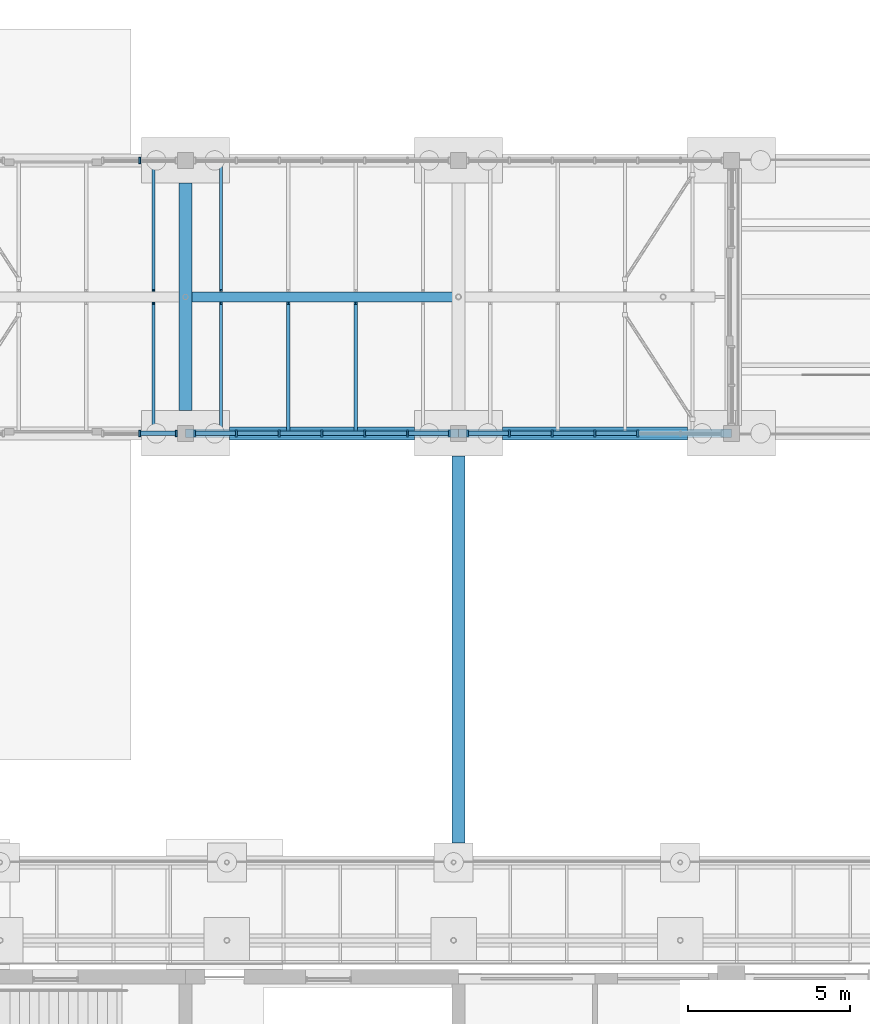
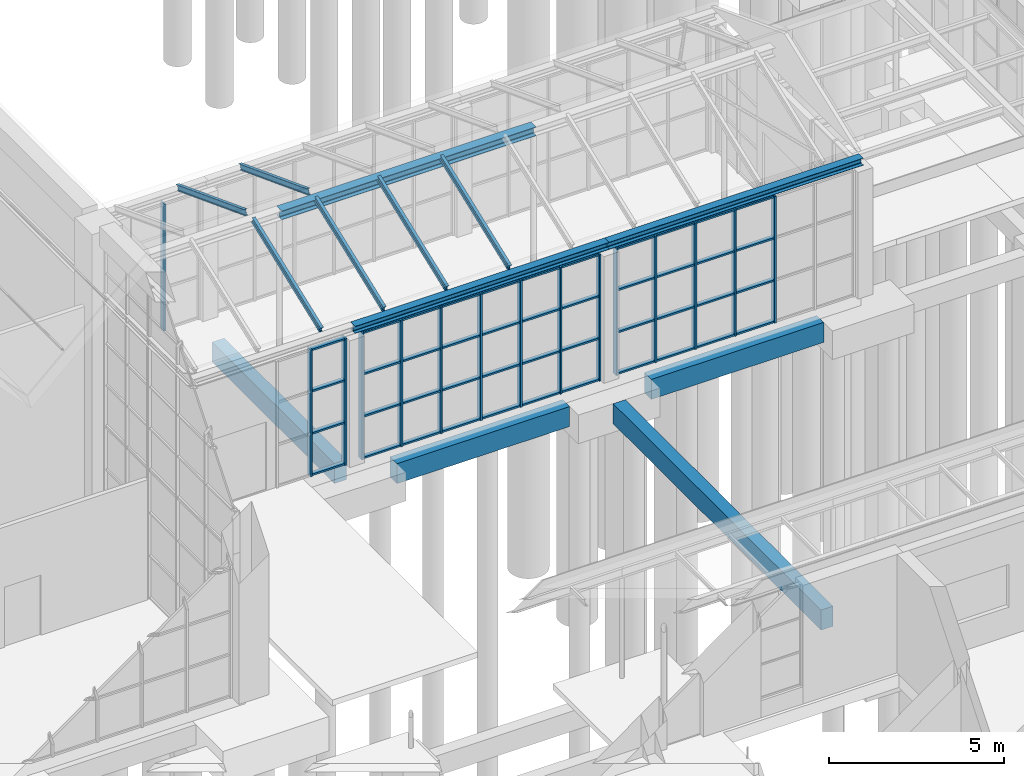
# One storey, part 65 of 138: 59 members, 13 beams, 4 elements without a shape of their own.
"""IFC4 building model written with IfcOpenShell, lengths in metres."""

from ifc_helpers import new_model, si_unit, direction, frame, origin, origin_2d, place, context, subcontext, project, spatial, rectangle, i_section, extrude, material, material_profile, profile_set, type_object, element, aggregate, save


model = new_model("IFC4")

# Units and contexts
model_context = context("Model", 3, precision=1e-05, world=origin(), true_north=direction((0.0, 1.0)))
body_context = subcontext(model_context, "Body", "Model", "MODEL_VIEW")
ifc_project = project(units=[si_unit("LENGTHUNIT", "METRE"), si_unit("AREAUNIT", "SQUARE_METRE"), si_unit("VOLUMEUNIT", "CUBIC_METRE"), si_unit("PLANEANGLEUNIT", "RADIAN"), si_unit("MASSUNIT", "GRAM", prefix="KILO")], contexts=[model_context])

# Site, building, storey
site_placement = place(None, origin())
site = spatial("IfcSite", under=ifc_project, at=site_placement, CompositionType="ELEMENT")
building_placement = place(site_placement, origin())
building = spatial("IfcBuilding", under=site, at=building_placement, Name="Yavir Park General Hospital", CompositionType="ELEMENT")
storey_placement = place(building_placement, origin())
storey = spatial("IfcBuildingStorey", under=building, at=storey_placement, Name="L00", CompositionType="ELEMENT", Elevation=0.0)

# Beams
ifc_material_1 = material(Name="Steel S355", Category="steel")
ifc_material_profile_1 = material_profile(ifc_material_1, i_section(OverallWidth=0.260009765625, OverallDepth=0.25, WebThickness=0.007568359375, FlangeThickness=0.012451171875, FilletRadius=0.02392578125, at=origin_2d()), Name="HEA260")
ifc_profile_set_1 = profile_set([ifc_material_profile_1], Name="Steel S355")
beam_type_1 = type_object("IfcBeamType", Name="HEA 260 eave beam", PredefinedType="BEAM", material=ifc_profile_set_1)
for number, where, z_axis, x_axis, name in (
    (1, (117.60009765625, 50.39990234375, 4.64697265625), (1.0, 0.0, 0.0), (0.0, 1.0, 0.0), "RF:CONC:frame:E:1"),
    (2, (126.0, 50.39990234375, 4.64697265625), (1.0, 0.0, 0.0), (0.0, 1.0, 0.0), "RF:CONC:frame:E:2"),
):
    element("IfcBeam", number, at=place(storey_placement, frame(where, z_axis=z_axis, x_axis=x_axis)), inside=storey, type_object=beam_type_1, Name=name, PredefinedType="BEAM", context=body_context, shape_type="SweptSolid", body=[
        extrude(i_section(OverallWidth=0.260009765625, OverallDepth=0.25, WebThickness=0.007568359375, FlangeThickness=0.012451171875, FilletRadius=0.02392578125, at=origin_2d()), origin(), (0.0, 0.0, 1.0), 8.39990234375),
    ])
ifc_material_2 = material(Name="Steel S355", Category="steel")
ifc_material_profile_2 = material_profile(ifc_material_2, i_section(OverallWidth=0.300048828125, OverallDepth=0.31005859375, WebThickness=0.009033203125, FlangeThickness=0.015380859375, FilletRadius=0.027099609375, at=origin_2d()), Name="HEA320")
ifc_profile_set_2 = profile_set([ifc_material_profile_2], Name="Steel S355")
beam_type_2 = type_object("IfcBeamType", Name="HEA 320 ridge beam", PredefinedType="BEAM", material=ifc_profile_set_2)
beam_1_placement = place(storey_placement, frame((117.60009765625, 54.60009765625, 6.113037109375), z_axis=(1.0, 0.0, 0.0), x_axis=(0.0, 1.0, 0.0)))
element("IfcBeam", 3, at=beam_1_placement, inside=storey, type_object=beam_type_2, Name="RF:CONC:frame:G:1", PredefinedType="BEAM", context=body_context, shape_type="SweptSolid", body=[
    extrude(i_section(OverallWidth=0.300048828125, OverallDepth=0.31005859375, WebThickness=0.009033203125, FlangeThickness=0.015380859375, FilletRadius=0.027099609375, at=origin_2d()), origin(), (0.0, 0.0, 1.0), 8.39990234375),
])
ifc_material_3 = material(Name="Steel S355", Category="steel")
ifc_material_profile_3 = material_profile(ifc_material_3, i_section(OverallWidth=0.10009765625, OverallDepth=0.199951171875, WebThickness=0.005615234375, FlangeThickness=0.008544921875, FilletRadius=0.011962890625, at=origin_2d()), Name="IPE200")
ifc_profile_set_3 = profile_set([ifc_material_profile_3], Name="Steel S355")
beam_type_3 = type_object("IfcBeamType", Name="IPE 200 rafter", PredefinedType="JOIST", material=ifc_profile_set_3)
for number, where, z_axis, x_axis, name in (
    (4, (116.6181640625, 50.489013671875, 4.866455078125), (0.0, 0.934494196525, 0.35597836544), (-1.0, 0.0, 0.0), "RF:CONC:frame:R:6"),
    (5, (116.6181640625, 54.795654296875, 6.35791015625), (0.0, 0.934494196525, -0.35597836544), (-1.0, 0.0, 0.0), "RF:CONC:frame:R:7"),
    (6, (118.69091796875, 50.489013671875, 4.866455078125), (0.0, 0.934494196525, 0.35597836544), (-1.0, 0.0, 0.0), "RF:CONC:frame:R:8"),
    (7, (118.69091796875, 54.795654296875, 6.35791015625), (0.0, 0.934494196525, -0.35597836544), (-1.0, 0.0, 0.0), "RF:CONC:frame:R:9"),
    (8, (120.763671875, 50.489013671875, 4.866455078125), (0.0, 0.934494196525, 0.35597836544), (-1.0, 0.0, 0.0), "RF:CONC:frame:R:10"),
    (9, (122.83642578125, 50.489013671875, 4.866455078125), (0.0, 0.934494196525, 0.35597836544), (-1.0, 0.0, 0.0), "RF:CONC:frame:R:12"),
):
    element("IfcBeam", number, at=place(storey_placement, frame(where, z_axis=z_axis, x_axis=x_axis)), inside=storey, type_object=beam_type_3, Name=name, PredefinedType="JOIST", context=body_context, shape_type="SweptSolid", body=[
        extrude(i_section(OverallWidth=0.10009765625, OverallDepth=0.199951171875, WebThickness=0.005615234375, FlangeThickness=0.008544921875, FilletRadius=0.011962890625, at=origin_2d()), origin(), (0.0, 0.0, 1.0), 4.189697265625),
    ])
ifc_material_4 = material(Name="Concrete C35/45", Category="concrete")
ifc_material_profile_4 = material_profile(ifc_material_4, rectangle(XDim=0.39990234375, YDim=0.699951171875, at=origin_2d()), Name="RC400x700")
ifc_profile_set_4 = profile_set([ifc_material_profile_4], Name="Concrete C35/45")
beam_type_4 = type_object("IfcBeamType", Name="RC BEAM 400x700 ground beam", PredefinedType="BEAM", material=ifc_profile_set_4)
for number, where, z_axis, x_axis, name in (
    (10, (118.949951171875, 50.39990234375, -0.800048828125), (1.0, 0.0, 0.0), (0.0, 1.0, 0.0), "B:GND:L00:15G:L00:16G"),
    (11, (127.35009765625, 50.39990234375, -0.800048828125), (1.0, 0.0, 0.0), (0.0, 1.0, 0.0), "B:GND:L00:16G:L00:17G"),
):
    element("IfcBeam", number, at=place(storey_placement, frame(where, z_axis=z_axis, x_axis=x_axis)), inside=storey, type_object=beam_type_4, Name=name, PredefinedType="BEAM", context=body_context, shape_type="SweptSolid", body=[
        extrude(rectangle(XDim=0.39990234375, YDim=0.699951171875, at=origin_2d()), origin(), (0.0, 0.0, 1.0), 5.699951171875),
    ])
beam_2_placement = place(storey_placement, frame((126.0, 37.800048828125, -0.800048828125), z_axis=(0.0, 1.0, 0.0), x_axis=(-1.0, 0.0, 0.0)))
element("IfcBeam", 12, at=beam_2_placement, inside=storey, type_object=beam_type_4, Name="B:GND:ARC2:C12:L00:16G", PredefinedType="BEAM", context=body_context, shape_type="SweptSolid", body=[
    extrude(rectangle(XDim=0.39990234375, YDim=0.699951171875, at=origin_2d()), origin(), (0.0, 0.0, 1.0), 11.89990234375),
])
beam_3_placement = place(storey_placement, frame((117.60009765625, 51.10009765625, -0.800048828125), z_axis=(0.0, 1.0, 0.0), x_axis=(-1.0, 0.0, 0.0)))
element("IfcBeam", 13, at=beam_3_placement, inside=storey, type_object=beam_type_4, Name="B:GND:L00:15G:L00:15H", PredefinedType="BEAM", context=body_context, shape_type="SweptSolid", body=[
    extrude(rectangle(XDim=0.39990234375, YDim=0.699951171875, at=origin_2d()), origin(), (0.0, 0.0, 1.0), 7.0),
])

# Curtain wall, members
ifc_material_5 = material(Name="Aluminium curtain wall frame with insulated glazing", Category="aluminium")
curtain_wall_type = type_object("IfcCurtainWallType", Name="Winter-garden concourse glazing, 4425 high, 1400 module", PredefinedType="NOTDEFINED", material=ifc_material_5)
curtain_wall_1_placement = place(storey_placement, origin())
curtain_wall_1 = element("IfcCurtainWall", 14, at=curtain_wall_1_placement, inside=storey, type_object=curtain_wall_type, Name="CW37 L00-014", PredefinedType="NOTDEFINED")
ifc_material_6 = material(Name="Aluminium", Category="aluminium")
ifc_material_profile_5 = material_profile(ifc_material_6, rectangle(XDim=0.199951171875, YDim=0.06005859375, at=origin_2d()), Name="AL 60x200")
ifc_profile_set_5 = profile_set([ifc_material_profile_5], Name="Aluminium")
member_type_1 = type_object("IfcMemberType", Name="Winter-garden concourse glazing, 4425 high mullion 60 x 200", PredefinedType="MULLION", material=ifc_profile_set_5)
member_1_placement = place(storey_placement, frame((116.1875, 50.39990234375, 0.0), z_axis=(0.0, 0.0, 1.0), x_axis=(0.0, 1.0, 0.0)))
member_1 = element("IfcMember", 15, at=member_1_placement, type_object=member_type_1, Name="CW37 mullion 2", PredefinedType="MULLION", context=body_context, shape_type="SweptSolid", body=[
    extrude(rectangle(XDim=0.199951171875, YDim=0.06005859375, at=origin_2d()), origin(), (0.0, 0.0, 1.0), 4.425048828125),
])
member_2_placement = place(storey_placement, frame((117.320068359375, 50.39990234375, 0.0), z_axis=(0.0, 0.0, 1.0), x_axis=(0.0, 1.0, 0.0)))
member_2 = element("IfcMember", 16, at=member_2_placement, type_object=member_type_1, Name="CW37 mullion 3", PredefinedType="MULLION", context=body_context, shape_type="SweptSolid", body=[
    extrude(rectangle(XDim=0.199951171875, YDim=0.06005859375, at=origin_2d()), origin(), (0.0, 0.0, 1.0), 4.425048828125),
])

curtain_wall_2_placement = place(storey_placement, origin())
curtain_wall_2 = element("IfcCurtainWall", 17, at=curtain_wall_2_placement, inside=storey, type_object=curtain_wall_type, Name="CW37 L00-015", PredefinedType="NOTDEFINED")
member_3_placement = place(storey_placement, frame((117.8798828125, 50.39990234375, 0.0), z_axis=(0.0, 0.0, 1.0), x_axis=(0.0, 1.0, 0.0)))
member_3 = element("IfcMember", 18, at=member_3_placement, type_object=member_type_1, Name="CW37 mullion 1", PredefinedType="MULLION", context=body_context, shape_type="SweptSolid", body=[
    extrude(rectangle(XDim=0.199951171875, YDim=0.06005859375, at=origin_2d()), origin(), (0.0, 0.0, 1.0), 4.425048828125),
])
member_4_placement = place(storey_placement, frame((119.166748046875, 50.39990234375, 0.0), z_axis=(0.0, 0.0, 1.0), x_axis=(0.0, 1.0, 0.0)))
member_4 = element("IfcMember", 19, at=member_4_placement, type_object=member_type_1, Name="CW37 mullion 2", PredefinedType="MULLION", context=body_context, shape_type="SweptSolid", body=[
    extrude(rectangle(XDim=0.199951171875, YDim=0.06005859375, at=origin_2d()), origin(), (0.0, 0.0, 1.0), 4.425048828125),
])
member_5_placement = place(storey_placement, frame((120.4833984375, 50.39990234375, 0.0), z_axis=(0.0, 0.0, 1.0), x_axis=(0.0, 1.0, 0.0)))
member_5 = element("IfcMember", 20, at=member_5_placement, type_object=member_type_1, Name="CW37 mullion 3", PredefinedType="MULLION", context=body_context, shape_type="SweptSolid", body=[
    extrude(rectangle(XDim=0.199951171875, YDim=0.06005859375, at=origin_2d()), origin(), (0.0, 0.0, 1.0), 4.425048828125),
])
member_6_placement = place(storey_placement, frame((121.800048828125, 50.39990234375, 0.0), z_axis=(0.0, 0.0, 1.0), x_axis=(0.0, 1.0, 0.0)))
member_6 = element("IfcMember", 21, at=member_6_placement, type_object=member_type_1, Name="CW37 mullion 4", PredefinedType="MULLION", context=body_context, shape_type="SweptSolid", body=[
    extrude(rectangle(XDim=0.199951171875, YDim=0.06005859375, at=origin_2d()), origin(), (0.0, 0.0, 1.0), 4.425048828125),
])
member_7_placement = place(storey_placement, frame((123.11669921875, 50.39990234375, 0.0), z_axis=(0.0, 0.0, 1.0), x_axis=(0.0, 1.0, 0.0)))
member_7 = element("IfcMember", 22, at=member_7_placement, type_object=member_type_1, Name="CW37 mullion 5", PredefinedType="MULLION", context=body_context, shape_type="SweptSolid", body=[
    extrude(rectangle(XDim=0.199951171875, YDim=0.06005859375, at=origin_2d()), origin(), (0.0, 0.0, 1.0), 4.425048828125),
])
member_8_placement = place(storey_placement, frame((124.433349609375, 50.39990234375, 0.0), z_axis=(0.0, 0.0, 1.0), x_axis=(0.0, 1.0, 0.0)))
member_8 = element("IfcMember", 23, at=member_8_placement, type_object=member_type_1, Name="CW37 mullion 6", PredefinedType="MULLION", context=body_context, shape_type="SweptSolid", body=[
    extrude(rectangle(XDim=0.199951171875, YDim=0.06005859375, at=origin_2d()), origin(), (0.0, 0.0, 1.0), 4.425048828125),
])
member_9_placement = place(storey_placement, frame((125.719970703125, 50.39990234375, 0.0), z_axis=(0.0, 0.0, 1.0), x_axis=(0.0, 1.0, 0.0)))
member_9 = element("IfcMember", 24, at=member_9_placement, type_object=member_type_1, Name="CW37 mullion 7", PredefinedType="MULLION", context=body_context, shape_type="SweptSolid", body=[
    extrude(rectangle(XDim=0.199951171875, YDim=0.06005859375, at=origin_2d()), origin(), (0.0, 0.0, 1.0), 4.425048828125),
])

curtain_wall_3_placement = place(storey_placement, origin())
curtain_wall_3 = element("IfcCurtainWall", 25, at=curtain_wall_3_placement, inside=storey, type_object=curtain_wall_type, Name="CW37 L00-016", PredefinedType="NOTDEFINED")
member_10_placement = place(storey_placement, frame((126.280029296875, 50.39990234375, 0.0), z_axis=(0.0, 0.0, 1.0), x_axis=(0.0, 1.0, 0.0)))
member_10 = element("IfcMember", 26, at=member_10_placement, type_object=member_type_1, Name="CW37 mullion 1", PredefinedType="MULLION", context=body_context, shape_type="SweptSolid", body=[
    extrude(rectangle(XDim=0.199951171875, YDim=0.06005859375, at=origin_2d()), origin(), (0.0, 0.0, 1.0), 4.425048828125),
])
member_11_placement = place(storey_placement, frame((127.566650390625, 50.39990234375, 0.0), z_axis=(0.0, 0.0, 1.0), x_axis=(0.0, 1.0, 0.0)))
member_11 = element("IfcMember", 27, at=member_11_placement, type_object=member_type_1, Name="CW37 mullion 2", PredefinedType="MULLION", context=body_context, shape_type="SweptSolid", body=[
    extrude(rectangle(XDim=0.199951171875, YDim=0.06005859375, at=origin_2d()), origin(), (0.0, 0.0, 1.0), 4.425048828125),
])
member_12_placement = place(storey_placement, frame((128.88330078125, 50.39990234375, 0.0), z_axis=(0.0, 0.0, 1.0), x_axis=(0.0, 1.0, 0.0)))
member_12 = element("IfcMember", 28, at=member_12_placement, type_object=member_type_1, Name="CW37 mullion 3", PredefinedType="MULLION", context=body_context, shape_type="SweptSolid", body=[
    extrude(rectangle(XDim=0.199951171875, YDim=0.06005859375, at=origin_2d()), origin(), (0.0, 0.0, 1.0), 4.425048828125),
])
member_13_placement = place(storey_placement, frame((130.199951171875, 50.39990234375, 0.0), z_axis=(0.0, 0.0, 1.0), x_axis=(0.0, 1.0, 0.0)))
member_13 = element("IfcMember", 29, at=member_13_placement, type_object=member_type_1, Name="CW37 mullion 4", PredefinedType="MULLION", context=body_context, shape_type="SweptSolid", body=[
    extrude(rectangle(XDim=0.199951171875, YDim=0.06005859375, at=origin_2d()), origin(), (0.0, 0.0, 1.0), 4.425048828125),
])
member_14_placement = place(storey_placement, frame((131.5166015625, 50.39990234375, 0.0), z_axis=(0.0, 0.0, 1.0), x_axis=(0.0, 1.0, 0.0)))
member_14 = element("IfcMember", 30, at=member_14_placement, type_object=member_type_1, Name="CW37 mullion 5", PredefinedType="MULLION", context=body_context, shape_type="SweptSolid", body=[
    extrude(rectangle(XDim=0.199951171875, YDim=0.06005859375, at=origin_2d()), origin(), (0.0, 0.0, 1.0), 4.425048828125),
])

# Curtain wall, member
curtain_wall_4_placement = place(storey_placement, origin())
curtain_wall_4 = element("IfcCurtainWall", 31, at=curtain_wall_4_placement, inside=storey, type_object=curtain_wall_type, Name="CW37 L00-019", PredefinedType="NOTDEFINED")
member_15_placement = place(storey_placement, frame((116.1875, 58.800048828125, 0.0), z_axis=(0.0, 0.0, 1.0), x_axis=(0.0, 1.0, 0.0)))
member_15 = element("IfcMember", 32, at=member_15_placement, type_object=member_type_1, Name="CW37 mullion 2", PredefinedType="MULLION", context=body_context, shape_type="SweptSolid", body=[
    extrude(rectangle(XDim=0.199951171875, YDim=0.06005859375, at=origin_2d()), origin(), (0.0, 0.0, 1.0), 4.425048828125),
])
aggregate(curtain_wall_4, [member_15])

# Member
ifc_material_7 = material(Name="Aluminium", Category="aluminium")
ifc_material_profile_6 = material_profile(ifc_material_7, rectangle(XDim=0.139892578125, YDim=0.06005859375, at=origin_2d()), Name="AL 140x60")
ifc_profile_set_6 = profile_set([ifc_material_profile_6], Name="Aluminium")
member_type_2 = type_object("IfcMemberType", Name="Winter-garden concourse glazing, 4425 high transom 60 x 140", PredefinedType="MULLION", material=ifc_profile_set_6)
member_16_placement = place(storey_placement, frame((116.217529296875, 50.39990234375, 0.030029296875), z_axis=(1.0, 0.0, 0.0), x_axis=(0.0, 1.0, 0.0)))
member_16 = element("IfcMember", 33, at=member_16_placement, type_object=member_type_2, Name="CW37 transom 2.1", PredefinedType="MULLION", context=body_context, shape_type="SweptSolid", body=[
    extrude(rectangle(XDim=0.139892578125, YDim=0.06005859375, at=origin_2d()), origin(), (0.0, 0.0, 1.0), 1.072509765625),
])

member_17_placement = place(storey_placement, frame((116.217529296875, 50.39990234375, 1.47509765625), z_axis=(1.0, 0.0, 0.0), x_axis=(0.0, 1.0, 0.0)))
member_17 = element("IfcMember", 34, at=member_17_placement, type_object=member_type_2, Name="CW37 transom 2.2", PredefinedType="MULLION", context=body_context, shape_type="SweptSolid", body=[
    extrude(rectangle(XDim=0.139892578125, YDim=0.06005859375, at=origin_2d()), origin(), (0.0, 0.0, 1.0), 1.072509765625),
])

member_18_placement = place(storey_placement, frame((116.217529296875, 50.39990234375, 2.949951171875), z_axis=(1.0, 0.0, 0.0), x_axis=(0.0, 1.0, 0.0)))
member_18 = element("IfcMember", 35, at=member_18_placement, type_object=member_type_2, Name="CW37 transom 2.3", PredefinedType="MULLION", context=body_context, shape_type="SweptSolid", body=[
    extrude(rectangle(XDim=0.139892578125, YDim=0.06005859375, at=origin_2d()), origin(), (0.0, 0.0, 1.0), 1.072509765625),
])

member_19_placement = place(storey_placement, frame((116.217529296875, 50.39990234375, 4.39501953125), z_axis=(1.0, 0.0, 0.0), x_axis=(0.0, 1.0, 0.0)))
member_19 = element("IfcMember", 36, at=member_19_placement, type_object=member_type_2, Name="CW37 transom 2.4", PredefinedType="MULLION", context=body_context, shape_type="SweptSolid", body=[
    extrude(rectangle(XDim=0.139892578125, YDim=0.06005859375, at=origin_2d()), origin(), (0.0, 0.0, 1.0), 1.072509765625),
])

aggregate(curtain_wall_1, [member_1, member_2, member_16, member_17, member_18, member_19])

member_20_placement = place(storey_placement, frame((117.909912109375, 50.39990234375, 0.030029296875), z_axis=(1.0, 0.0, 0.0), x_axis=(0.0, 1.0, 0.0)))
member_20 = element("IfcMember", 37, at=member_20_placement, type_object=member_type_2, Name="CW37 transom 1.1", PredefinedType="MULLION", context=body_context, shape_type="SweptSolid", body=[
    extrude(rectangle(XDim=0.139892578125, YDim=0.06005859375, at=origin_2d()), origin(), (0.0, 0.0, 1.0), 1.226806640625),
])

member_21_placement = place(storey_placement, frame((117.909912109375, 50.39990234375, 1.47509765625), z_axis=(1.0, 0.0, 0.0), x_axis=(0.0, 1.0, 0.0)))
member_21 = element("IfcMember", 38, at=member_21_placement, type_object=member_type_2, Name="CW37 transom 1.2", PredefinedType="MULLION", context=body_context, shape_type="SweptSolid", body=[
    extrude(rectangle(XDim=0.139892578125, YDim=0.06005859375, at=origin_2d()), origin(), (0.0, 0.0, 1.0), 1.226806640625),
])

member_22_placement = place(storey_placement, frame((117.909912109375, 50.39990234375, 2.949951171875), z_axis=(1.0, 0.0, 0.0), x_axis=(0.0, 1.0, 0.0)))
member_22 = element("IfcMember", 39, at=member_22_placement, type_object=member_type_2, Name="CW37 transom 1.3", PredefinedType="MULLION", context=body_context, shape_type="SweptSolid", body=[
    extrude(rectangle(XDim=0.139892578125, YDim=0.06005859375, at=origin_2d()), origin(), (0.0, 0.0, 1.0), 1.226806640625),
])

member_23_placement = place(storey_placement, frame((117.909912109375, 50.39990234375, 4.39501953125), z_axis=(1.0, 0.0, 0.0), x_axis=(0.0, 1.0, 0.0)))
member_23 = element("IfcMember", 40, at=member_23_placement, type_object=member_type_2, Name="CW37 transom 1.4", PredefinedType="MULLION", context=body_context, shape_type="SweptSolid", body=[
    extrude(rectangle(XDim=0.139892578125, YDim=0.06005859375, at=origin_2d()), origin(), (0.0, 0.0, 1.0), 1.226806640625),
])

member_24_placement = place(storey_placement, frame((119.19677734375, 50.39990234375, 0.030029296875), z_axis=(1.0, 0.0, 0.0), x_axis=(0.0, 1.0, 0.0)))
member_24 = element("IfcMember", 41, at=member_24_placement, type_object=member_type_2, Name="CW37 transom 2.1", PredefinedType="MULLION", context=body_context, shape_type="SweptSolid", body=[
    extrude(rectangle(XDim=0.139892578125, YDim=0.06005859375, at=origin_2d()), origin(), (0.0, 0.0, 1.0), 1.256591796875),
])

member_25_placement = place(storey_placement, frame((119.19677734375, 50.39990234375, 1.47509765625), z_axis=(1.0, 0.0, 0.0), x_axis=(0.0, 1.0, 0.0)))
member_25 = element("IfcMember", 42, at=member_25_placement, type_object=member_type_2, Name="CW37 transom 2.2", PredefinedType="MULLION", context=body_context, shape_type="SweptSolid", body=[
    extrude(rectangle(XDim=0.139892578125, YDim=0.06005859375, at=origin_2d()), origin(), (0.0, 0.0, 1.0), 1.256591796875),
])

member_26_placement = place(storey_placement, frame((119.19677734375, 50.39990234375, 2.949951171875), z_axis=(1.0, 0.0, 0.0), x_axis=(0.0, 1.0, 0.0)))
member_26 = element("IfcMember", 43, at=member_26_placement, type_object=member_type_2, Name="CW37 transom 2.3", PredefinedType="MULLION", context=body_context, shape_type="SweptSolid", body=[
    extrude(rectangle(XDim=0.139892578125, YDim=0.06005859375, at=origin_2d()), origin(), (0.0, 0.0, 1.0), 1.256591796875),
])

member_27_placement = place(storey_placement, frame((119.19677734375, 50.39990234375, 4.39501953125), z_axis=(1.0, 0.0, 0.0), x_axis=(0.0, 1.0, 0.0)))
member_27 = element("IfcMember", 44, at=member_27_placement, type_object=member_type_2, Name="CW37 transom 2.4", PredefinedType="MULLION", context=body_context, shape_type="SweptSolid", body=[
    extrude(rectangle(XDim=0.139892578125, YDim=0.06005859375, at=origin_2d()), origin(), (0.0, 0.0, 1.0), 1.256591796875),
])

member_28_placement = place(storey_placement, frame((120.513427734375, 50.39990234375, 0.030029296875), z_axis=(1.0, 0.0, 0.0), x_axis=(0.0, 1.0, 0.0)))
member_28 = element("IfcMember", 45, at=member_28_placement, type_object=member_type_2, Name="CW37 transom 3.1", PredefinedType="MULLION", context=body_context, shape_type="SweptSolid", body=[
    extrude(rectangle(XDim=0.139892578125, YDim=0.06005859375, at=origin_2d()), origin(), (0.0, 0.0, 1.0), 1.256591796875),
])

member_29_placement = place(storey_placement, frame((120.513427734375, 50.39990234375, 1.47509765625), z_axis=(1.0, 0.0, 0.0), x_axis=(0.0, 1.0, 0.0)))
member_29 = element("IfcMember", 46, at=member_29_placement, type_object=member_type_2, Name="CW37 transom 3.2", PredefinedType="MULLION", context=body_context, shape_type="SweptSolid", body=[
    extrude(rectangle(XDim=0.139892578125, YDim=0.06005859375, at=origin_2d()), origin(), (0.0, 0.0, 1.0), 1.256591796875),
])

member_30_placement = place(storey_placement, frame((120.513427734375, 50.39990234375, 2.949951171875), z_axis=(1.0, 0.0, 0.0), x_axis=(0.0, 1.0, 0.0)))
member_30 = element("IfcMember", 47, at=member_30_placement, type_object=member_type_2, Name="CW37 transom 3.3", PredefinedType="MULLION", context=body_context, shape_type="SweptSolid", body=[
    extrude(rectangle(XDim=0.139892578125, YDim=0.06005859375, at=origin_2d()), origin(), (0.0, 0.0, 1.0), 1.256591796875),
])

member_31_placement = place(storey_placement, frame((120.513427734375, 50.39990234375, 4.39501953125), z_axis=(1.0, 0.0, 0.0), x_axis=(0.0, 1.0, 0.0)))
member_31 = element("IfcMember", 48, at=member_31_placement, type_object=member_type_2, Name="CW37 transom 3.4", PredefinedType="MULLION", context=body_context, shape_type="SweptSolid", body=[
    extrude(rectangle(XDim=0.139892578125, YDim=0.06005859375, at=origin_2d()), origin(), (0.0, 0.0, 1.0), 1.256591796875),
])

member_32_placement = place(storey_placement, frame((121.830078125, 50.39990234375, 0.030029296875), z_axis=(1.0, 0.0, 0.0), x_axis=(0.0, 1.0, 0.0)))
member_32 = element("IfcMember", 49, at=member_32_placement, type_object=member_type_2, Name="CW37 transom 4.1", PredefinedType="MULLION", context=body_context, shape_type="SweptSolid", body=[
    extrude(rectangle(XDim=0.139892578125, YDim=0.06005859375, at=origin_2d()), origin(), (0.0, 0.0, 1.0), 1.256591796875),
])

member_33_placement = place(storey_placement, frame((121.830078125, 50.39990234375, 1.47509765625), z_axis=(1.0, 0.0, 0.0), x_axis=(0.0, 1.0, 0.0)))
member_33 = element("IfcMember", 50, at=member_33_placement, type_object=member_type_2, Name="CW37 transom 4.2", PredefinedType="MULLION", context=body_context, shape_type="SweptSolid", body=[
    extrude(rectangle(XDim=0.139892578125, YDim=0.06005859375, at=origin_2d()), origin(), (0.0, 0.0, 1.0), 1.256591796875),
])

member_34_placement = place(storey_placement, frame((121.830078125, 50.39990234375, 2.949951171875), z_axis=(1.0, 0.0, 0.0), x_axis=(0.0, 1.0, 0.0)))
member_34 = element("IfcMember", 51, at=member_34_placement, type_object=member_type_2, Name="CW37 transom 4.3", PredefinedType="MULLION", context=body_context, shape_type="SweptSolid", body=[
    extrude(rectangle(XDim=0.139892578125, YDim=0.06005859375, at=origin_2d()), origin(), (0.0, 0.0, 1.0), 1.256591796875),
])

member_35_placement = place(storey_placement, frame((121.830078125, 50.39990234375, 4.39501953125), z_axis=(1.0, 0.0, 0.0), x_axis=(0.0, 1.0, 0.0)))
member_35 = element("IfcMember", 52, at=member_35_placement, type_object=member_type_2, Name="CW37 transom 4.4", PredefinedType="MULLION", context=body_context, shape_type="SweptSolid", body=[
    extrude(rectangle(XDim=0.139892578125, YDim=0.06005859375, at=origin_2d()), origin(), (0.0, 0.0, 1.0), 1.256591796875),
])

member_36_placement = place(storey_placement, frame((123.146728515625, 50.39990234375, 0.030029296875), z_axis=(1.0, 0.0, 0.0), x_axis=(0.0, 1.0, 0.0)))
member_36 = element("IfcMember", 53, at=member_36_placement, type_object=member_type_2, Name="CW37 transom 5.1", PredefinedType="MULLION", context=body_context, shape_type="SweptSolid", body=[
    extrude(rectangle(XDim=0.139892578125, YDim=0.06005859375, at=origin_2d()), origin(), (0.0, 0.0, 1.0), 1.256591796875),
])

member_37_placement = place(storey_placement, frame((123.146728515625, 50.39990234375, 1.47509765625), z_axis=(1.0, 0.0, 0.0), x_axis=(0.0, 1.0, 0.0)))
member_37 = element("IfcMember", 54, at=member_37_placement, type_object=member_type_2, Name="CW37 transom 5.2", PredefinedType="MULLION", context=body_context, shape_type="SweptSolid", body=[
    extrude(rectangle(XDim=0.139892578125, YDim=0.06005859375, at=origin_2d()), origin(), (0.0, 0.0, 1.0), 1.256591796875),
])

member_38_placement = place(storey_placement, frame((123.146728515625, 50.39990234375, 2.949951171875), z_axis=(1.0, 0.0, 0.0), x_axis=(0.0, 1.0, 0.0)))
member_38 = element("IfcMember", 55, at=member_38_placement, type_object=member_type_2, Name="CW37 transom 5.3", PredefinedType="MULLION", context=body_context, shape_type="SweptSolid", body=[
    extrude(rectangle(XDim=0.139892578125, YDim=0.06005859375, at=origin_2d()), origin(), (0.0, 0.0, 1.0), 1.256591796875),
])

member_39_placement = place(storey_placement, frame((123.146728515625, 50.39990234375, 4.39501953125), z_axis=(1.0, 0.0, 0.0), x_axis=(0.0, 1.0, 0.0)))
member_39 = element("IfcMember", 56, at=member_39_placement, type_object=member_type_2, Name="CW37 transom 5.4", PredefinedType="MULLION", context=body_context, shape_type="SweptSolid", body=[
    extrude(rectangle(XDim=0.139892578125, YDim=0.06005859375, at=origin_2d()), origin(), (0.0, 0.0, 1.0), 1.256591796875),
])

member_40_placement = place(storey_placement, frame((124.46337890625, 50.39990234375, 0.030029296875), z_axis=(1.0, 0.0, 0.0), x_axis=(0.0, 1.0, 0.0)))
member_40 = element("IfcMember", 57, at=member_40_placement, type_object=member_type_2, Name="CW37 transom 6.1", PredefinedType="MULLION", context=body_context, shape_type="SweptSolid", body=[
    extrude(rectangle(XDim=0.139892578125, YDim=0.06005859375, at=origin_2d()), origin(), (0.0, 0.0, 1.0), 1.2265625),
])

member_41_placement = place(storey_placement, frame((124.46337890625, 50.39990234375, 1.47509765625), z_axis=(1.0, 0.0, 0.0), x_axis=(0.0, 1.0, 0.0)))
member_41 = element("IfcMember", 58, at=member_41_placement, type_object=member_type_2, Name="CW37 transom 6.2", PredefinedType="MULLION", context=body_context, shape_type="SweptSolid", body=[
    extrude(rectangle(XDim=0.139892578125, YDim=0.06005859375, at=origin_2d()), origin(), (0.0, 0.0, 1.0), 1.2265625),
])

member_42_placement = place(storey_placement, frame((124.46337890625, 50.39990234375, 2.949951171875), z_axis=(1.0, 0.0, 0.0), x_axis=(0.0, 1.0, 0.0)))
member_42 = element("IfcMember", 59, at=member_42_placement, type_object=member_type_2, Name="CW37 transom 6.3", PredefinedType="MULLION", context=body_context, shape_type="SweptSolid", body=[
    extrude(rectangle(XDim=0.139892578125, YDim=0.06005859375, at=origin_2d()), origin(), (0.0, 0.0, 1.0), 1.2265625),
])

member_43_placement = place(storey_placement, frame((124.46337890625, 50.39990234375, 4.39501953125), z_axis=(1.0, 0.0, 0.0), x_axis=(0.0, 1.0, 0.0)))
member_43 = element("IfcMember", 60, at=member_43_placement, type_object=member_type_2, Name="CW37 transom 6.4", PredefinedType="MULLION", context=body_context, shape_type="SweptSolid", body=[
    extrude(rectangle(XDim=0.139892578125, YDim=0.06005859375, at=origin_2d()), origin(), (0.0, 0.0, 1.0), 1.2265625),
])

aggregate(curtain_wall_2, [member_3, member_4, member_5, member_6, member_7, member_8, member_9, member_20, member_21, member_22, member_23, member_24, member_25, member_26, member_27, member_28, member_29, member_30, member_31, member_32, member_33, member_34, member_35, member_36, member_37, member_38, member_39, member_40, member_41, member_42, member_43])

member_44_placement = place(storey_placement, frame((126.31005859375, 50.39990234375, 0.030029296875), z_axis=(1.0, 0.0, 0.0), x_axis=(0.0, 1.0, 0.0)))
member_44 = element("IfcMember", 61, at=member_44_placement, type_object=member_type_2, Name="CW37 transom 1.1", PredefinedType="MULLION", context=body_context, shape_type="SweptSolid", body=[
    extrude(rectangle(XDim=0.139892578125, YDim=0.06005859375, at=origin_2d()), origin(), (0.0, 0.0, 1.0), 1.2265625),
])

member_45_placement = place(storey_placement, frame((126.31005859375, 50.39990234375, 1.47509765625), z_axis=(1.0, 0.0, 0.0), x_axis=(0.0, 1.0, 0.0)))
member_45 = element("IfcMember", 62, at=member_45_placement, type_object=member_type_2, Name="CW37 transom 1.2", PredefinedType="MULLION", context=body_context, shape_type="SweptSolid", body=[
    extrude(rectangle(XDim=0.139892578125, YDim=0.06005859375, at=origin_2d()), origin(), (0.0, 0.0, 1.0), 1.2265625),
])

member_46_placement = place(storey_placement, frame((126.31005859375, 50.39990234375, 2.949951171875), z_axis=(1.0, 0.0, 0.0), x_axis=(0.0, 1.0, 0.0)))
member_46 = element("IfcMember", 63, at=member_46_placement, type_object=member_type_2, Name="CW37 transom 1.3", PredefinedType="MULLION", context=body_context, shape_type="SweptSolid", body=[
    extrude(rectangle(XDim=0.139892578125, YDim=0.06005859375, at=origin_2d()), origin(), (0.0, 0.0, 1.0), 1.2265625),
])

member_47_placement = place(storey_placement, frame((126.31005859375, 50.39990234375, 4.39501953125), z_axis=(1.0, 0.0, 0.0), x_axis=(0.0, 1.0, 0.0)))
member_47 = element("IfcMember", 64, at=member_47_placement, type_object=member_type_2, Name="CW37 transom 1.4", PredefinedType="MULLION", context=body_context, shape_type="SweptSolid", body=[
    extrude(rectangle(XDim=0.139892578125, YDim=0.06005859375, at=origin_2d()), origin(), (0.0, 0.0, 1.0), 1.2265625),
])

member_48_placement = place(storey_placement, frame((127.5966796875, 50.39990234375, 0.030029296875), z_axis=(1.0, 0.0, 0.0), x_axis=(0.0, 1.0, 0.0)))
member_48 = element("IfcMember", 65, at=member_48_placement, type_object=member_type_2, Name="CW37 transom 2.1", PredefinedType="MULLION", context=body_context, shape_type="SweptSolid", body=[
    extrude(rectangle(XDim=0.139892578125, YDim=0.06005859375, at=origin_2d()), origin(), (0.0, 0.0, 1.0), 1.256591796875),
])

member_49_placement = place(storey_placement, frame((127.5966796875, 50.39990234375, 1.47509765625), z_axis=(1.0, 0.0, 0.0), x_axis=(0.0, 1.0, 0.0)))
member_49 = element("IfcMember", 66, at=member_49_placement, type_object=member_type_2, Name="CW37 transom 2.2", PredefinedType="MULLION", context=body_context, shape_type="SweptSolid", body=[
    extrude(rectangle(XDim=0.139892578125, YDim=0.06005859375, at=origin_2d()), origin(), (0.0, 0.0, 1.0), 1.256591796875),
])

member_50_placement = place(storey_placement, frame((127.5966796875, 50.39990234375, 2.949951171875), z_axis=(1.0, 0.0, 0.0), x_axis=(0.0, 1.0, 0.0)))
member_50 = element("IfcMember", 67, at=member_50_placement, type_object=member_type_2, Name="CW37 transom 2.3", PredefinedType="MULLION", context=body_context, shape_type="SweptSolid", body=[
    extrude(rectangle(XDim=0.139892578125, YDim=0.06005859375, at=origin_2d()), origin(), (0.0, 0.0, 1.0), 1.256591796875),
])

member_51_placement = place(storey_placement, frame((127.5966796875, 50.39990234375, 4.39501953125), z_axis=(1.0, 0.0, 0.0), x_axis=(0.0, 1.0, 0.0)))
member_51 = element("IfcMember", 68, at=member_51_placement, type_object=member_type_2, Name="CW37 transom 2.4", PredefinedType="MULLION", context=body_context, shape_type="SweptSolid", body=[
    extrude(rectangle(XDim=0.139892578125, YDim=0.06005859375, at=origin_2d()), origin(), (0.0, 0.0, 1.0), 1.256591796875),
])

member_52_placement = place(storey_placement, frame((128.913330078125, 50.39990234375, 0.030029296875), z_axis=(1.0, 0.0, 0.0), x_axis=(0.0, 1.0, 0.0)))
member_52 = element("IfcMember", 69, at=member_52_placement, type_object=member_type_2, Name="CW37 transom 3.1", PredefinedType="MULLION", context=body_context, shape_type="SweptSolid", body=[
    extrude(rectangle(XDim=0.139892578125, YDim=0.06005859375, at=origin_2d()), origin(), (0.0, 0.0, 1.0), 1.256591796875),
])

member_53_placement = place(storey_placement, frame((128.913330078125, 50.39990234375, 1.47509765625), z_axis=(1.0, 0.0, 0.0), x_axis=(0.0, 1.0, 0.0)))
member_53 = element("IfcMember", 70, at=member_53_placement, type_object=member_type_2, Name="CW37 transom 3.2", PredefinedType="MULLION", context=body_context, shape_type="SweptSolid", body=[
    extrude(rectangle(XDim=0.139892578125, YDim=0.06005859375, at=origin_2d()), origin(), (0.0, 0.0, 1.0), 1.256591796875),
])

member_54_placement = place(storey_placement, frame((128.913330078125, 50.39990234375, 2.949951171875), z_axis=(1.0, 0.0, 0.0), x_axis=(0.0, 1.0, 0.0)))
member_54 = element("IfcMember", 71, at=member_54_placement, type_object=member_type_2, Name="CW37 transom 3.3", PredefinedType="MULLION", context=body_context, shape_type="SweptSolid", body=[
    extrude(rectangle(XDim=0.139892578125, YDim=0.06005859375, at=origin_2d()), origin(), (0.0, 0.0, 1.0), 1.256591796875),
])

member_55_placement = place(storey_placement, frame((128.913330078125, 50.39990234375, 4.39501953125), z_axis=(1.0, 0.0, 0.0), x_axis=(0.0, 1.0, 0.0)))
member_55 = element("IfcMember", 72, at=member_55_placement, type_object=member_type_2, Name="CW37 transom 3.4", PredefinedType="MULLION", context=body_context, shape_type="SweptSolid", body=[
    extrude(rectangle(XDim=0.139892578125, YDim=0.06005859375, at=origin_2d()), origin(), (0.0, 0.0, 1.0), 1.256591796875),
])

member_56_placement = place(storey_placement, frame((130.22998046875, 50.39990234375, 0.030029296875), z_axis=(1.0, 0.0, 0.0), x_axis=(0.0, 1.0, 0.0)))
member_56 = element("IfcMember", 73, at=member_56_placement, type_object=member_type_2, Name="CW37 transom 4.1", PredefinedType="MULLION", context=body_context, shape_type="SweptSolid", body=[
    extrude(rectangle(XDim=0.139892578125, YDim=0.06005859375, at=origin_2d()), origin(), (0.0, 0.0, 1.0), 1.256591796875),
])

member_57_placement = place(storey_placement, frame((130.22998046875, 50.39990234375, 1.47509765625), z_axis=(1.0, 0.0, 0.0), x_axis=(0.0, 1.0, 0.0)))
member_57 = element("IfcMember", 74, at=member_57_placement, type_object=member_type_2, Name="CW37 transom 4.2", PredefinedType="MULLION", context=body_context, shape_type="SweptSolid", body=[
    extrude(rectangle(XDim=0.139892578125, YDim=0.06005859375, at=origin_2d()), origin(), (0.0, 0.0, 1.0), 1.256591796875),
])

member_58_placement = place(storey_placement, frame((130.22998046875, 50.39990234375, 2.949951171875), z_axis=(1.0, 0.0, 0.0), x_axis=(0.0, 1.0, 0.0)))
member_58 = element("IfcMember", 75, at=member_58_placement, type_object=member_type_2, Name="CW37 transom 4.3", PredefinedType="MULLION", context=body_context, shape_type="SweptSolid", body=[
    extrude(rectangle(XDim=0.139892578125, YDim=0.06005859375, at=origin_2d()), origin(), (0.0, 0.0, 1.0), 1.256591796875),
])

member_59_placement = place(storey_placement, frame((130.22998046875, 50.39990234375, 4.39501953125), z_axis=(1.0, 0.0, 0.0), x_axis=(0.0, 1.0, 0.0)))
member_59 = element("IfcMember", 76, at=member_59_placement, type_object=member_type_2, Name="CW37 transom 4.4", PredefinedType="MULLION", context=body_context, shape_type="SweptSolid", body=[
    extrude(rectangle(XDim=0.139892578125, YDim=0.06005859375, at=origin_2d()), origin(), (0.0, 0.0, 1.0), 1.256591796875),
])

aggregate(curtain_wall_3, [member_10, member_11, member_12, member_13, member_14, member_44, member_45, member_46, member_47, member_48, member_49, member_50, member_51, member_52, member_53, member_54, member_55, member_56, member_57, member_58, member_59])

save(model, "model.ifc")
